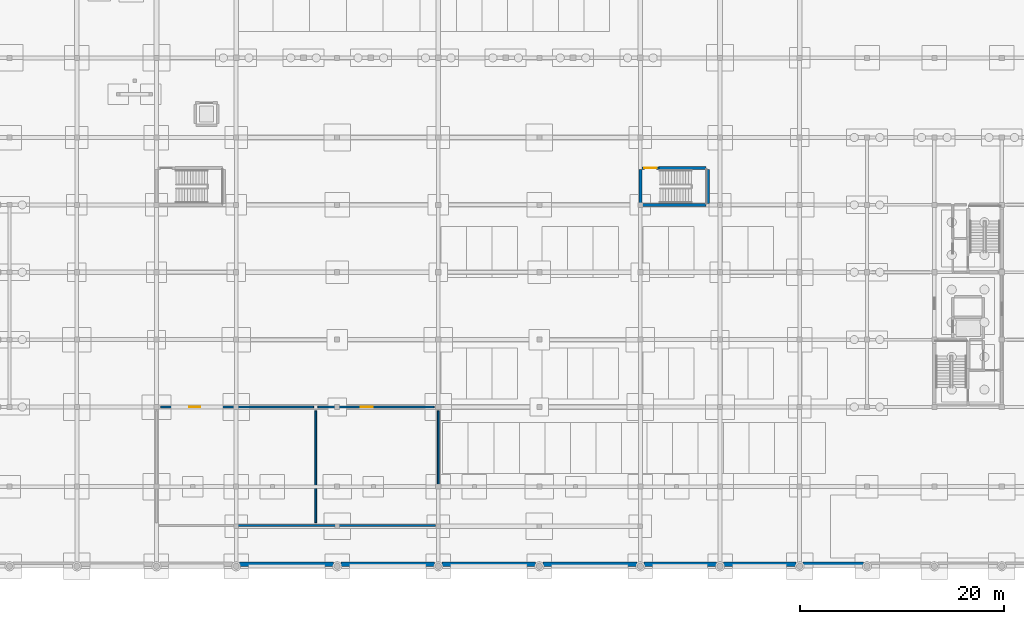
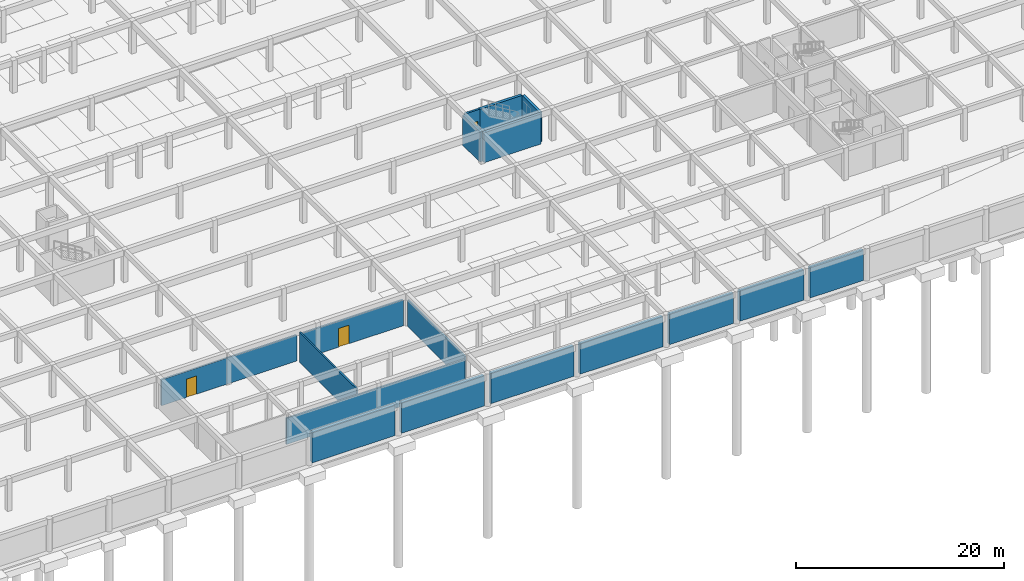
# One storey, part 25 of 37: 17 walls, 3 doors, 3 openings.
"""IFC4 building model written with IfcOpenShell, lengths in metres."""

from ifc_helpers import new_model, si_unit, direction, frame, frame_2d, origin, place, context, subcontext, project, spatial, rectangle, extrude, material, layer, layer_set, type_object, element, fill, save


model = new_model("IFC4")

# Units and contexts
model_context = context("Model", 3, precision=1e-05, world=origin(), true_north=direction((0.0, 1.0)))
body_context = subcontext(model_context, "Body", "Model", "MODEL_VIEW")
ifc_project = project(units=[si_unit("LENGTHUNIT", "METRE"), si_unit("AREAUNIT", "SQUARE_METRE"), si_unit("VOLUMEUNIT", "CUBIC_METRE"), si_unit("PLANEANGLEUNIT", "RADIAN"), si_unit("MASSUNIT", "GRAM", prefix="KILO")], contexts=[model_context])

# Site, building, storey
site_placement = place(None, origin())
site = spatial("IfcSite", under=ifc_project, at=site_placement, CompositionType="ELEMENT")
building_placement = place(site_placement, origin())
building = spatial("IfcBuilding", under=site, at=building_placement, Name="Kernevlak Ridge Housing Community", CompositionType="ELEMENT")
storey_placement = place(building_placement, frame((0.0, 0.0, -3.800048828125)))
storey = spatial("IfcBuildingStorey", under=building, at=storey_placement, Name="B1", CompositionType="ELEMENT", Elevation=-3.800048828125)

# Wall, opening, door
ifc_material_1 = material(Name="Concrete C35/45", Category="concrete")
ifc_layer_1 = layer(ifc_material_1, 0.22509765625, Name="Concrete C35/45")
ifc_layer_set_1 = layer_set([ifc_layer_1], Name="Concrete C35/45")
wall_type_1 = type_object("IfcWallType", Name="PW-01", PredefinedType="STANDARD", material=ifc_layer_set_1)
wall_1_placement = place(storey_placement, frame((103.949951171875, 39.0, 0.0), z_axis=(0.0, 0.0, 1.0), x_axis=(1.0, 0.0, 0.0)))
wall_1 = element("IfcWall", 1, at=wall_1_placement, inside=storey, type_object=wall_type_1, Name="Interior wall PW-01 WAL-INT-B1-3502", PredefinedType="STANDARD", context=body_context, shape_type="SweptSolid", body=[
    extrude(rectangle(XDim=1.650146484375, YDim=0.22509765625, at=frame_2d((0.8251953125, 0.0))), origin(), (0.0, 0.0, 1.0), 3.52001953125),
])
opening_1_placement = place(wall_1_placement, frame((0.25, 0.0, 0.0)))
opening_1 = element("IfcOpeningElement", 2, at=opening_1_placement, cuts=wall_1, Name="Opening E779", PredefinedType="OPENING", context=body_context, shape_type="SweptSolid", body=[
    extrude(rectangle(XDim=1.199951171875, YDim=2.179931640625, at=frame_2d((0.60009765625, 1.08984375))), frame((0.0, 0.12255859375, 0.0), z_axis=(0.0, -1.0, 0.0), x_axis=(1.0, 0.0, 0.0)), (0.0, 0.0, 1.0), 0.2451171875),
])
ifc_material_2 = material(Name="Fire-rated sheet steel leaf", Category="steel")
door_type_1 = type_object("IfcDoorType", Name="DT-17", OperationType="NOTDEFINED", PredefinedType="DOOR", material=ifc_material_2)
door_1_placement = place(opening_1_placement, origin())
door_1 = element("IfcDoor", 3, at=door_1_placement, inside=storey, type_object=door_type_1, Name="Podium stair ST-P2 fire door E779", OperationType="SINGLE_SWING_RIGHT", OverallHeight=2.179931640625, OverallWidth=1.199951171875, PredefinedType="DOOR", context=body_context, shape_type="SweptSolid", body=[
    extrude(rectangle(XDim=1.199951171875, YDim=2.179931640625, at=frame_2d((0.60009765625, 1.08984375))), frame((0.0, 0.02490234375, 0.0), z_axis=(0.0, -1.0, 0.0), x_axis=(1.0, 0.0, 0.0)), (0.0, 0.0, 1.0), 0.050048828125),
])
fill(opening_1, door_1)

ifc_material_3 = material(Name="Concrete block masonry M10", Category="masonry")
ifc_layer_2 = layer(ifc_material_3, 0.175048828125, Name="Concrete block masonry M10")
ifc_layer_set_2 = layer_set([ifc_layer_2], Name="Concrete block masonry M10")
wall_type_2 = type_object("IfcWallType", Name="PW-02", PredefinedType="PARTITIONING", material=ifc_layer_set_2)
wall_2_placement = place(storey_placement, frame((56.800048828125, 15.60009765625, 0.0), z_axis=(0.0, 0.0, 1.0), x_axis=(1.0, 0.0, 0.0)))
wall_2 = element("IfcWall", 4, at=wall_2_placement, inside=storey, type_object=wall_type_2, Name="Interior wall PW-02 WAL-INT-B1-3534", PredefinedType="PARTITIONING", context=body_context, shape_type="SweptSolid", body=[
    extrude(rectangle(XDim=15.0, YDim=0.175048828125, at=frame_2d((7.5, 0.0))), origin(), (0.0, 0.0, 1.0), 3.050048828125),
])
opening_2_placement = place(wall_2_placement, frame((2.800048828125, 0.0, 0.0)))
opening_2 = element("IfcOpeningElement", 5, at=opening_2_placement, cuts=wall_2, Name="Opening E791", PredefinedType="OPENING", context=body_context, shape_type="SweptSolid", body=[
    extrude(rectangle(XDim=1.10009765625, YDim=2.14990234375, at=frame_2d((0.550048828125, 1.074951171875))), frame((0.0, 0.097412109375, 0.0), z_axis=(0.0, -1.0, 0.0), x_axis=(1.0, 0.0, 0.0)), (0.0, 0.0, 1.0), 0.195068359375),
])
door_type_2 = type_object("IfcDoorType", Name="DT-06", OperationType="NOTDEFINED", PredefinedType="DOOR", material=ifc_material_2)
door_2_placement = place(opening_2_placement, origin())
door_2 = element("IfcDoor", 6, at=door_2_placement, inside=storey, type_object=door_type_2, Name="Bicycle store door E791", OperationType="SINGLE_SWING_RIGHT", OverallHeight=2.14990234375, OverallWidth=1.10009765625, PredefinedType="DOOR", context=body_context, shape_type="SweptSolid", body=[
    extrude(rectangle(XDim=1.10009765625, YDim=2.14990234375, at=frame_2d((0.550048828125, 1.074951171875))), frame((0.0, 0.02490234375, 0.0), z_axis=(0.0, -1.0, 0.0), x_axis=(1.0, 0.0, 0.0)), (0.0, 0.0, 1.0), 0.050048828125),
])
fill(opening_2, door_2)

wall_3_placement = place(storey_placement, frame((72.199951171875, 15.60009765625, 0.0), z_axis=(0.0, 0.0, 1.0), x_axis=(1.0, 0.0, 0.0)))
wall_3 = element("IfcWall", 7, at=wall_3_placement, inside=storey, type_object=wall_type_2, Name="Interior wall PW-02 WAL-INT-B1-3535", PredefinedType="PARTITIONING", context=body_context, shape_type="SweptSolid", body=[
    extrude(rectangle(XDim=11.400146484375, YDim=0.175048828125, at=frame_2d((5.7001953125, 0.0))), origin(), (0.0, 0.0, 1.0), 3.050048828125),
])
opening_3_placement = place(wall_3_placement, frame((4.199951171875, 0.0, 0.0)))
opening_3 = element("IfcOpeningElement", 8, at=opening_3_placement, cuts=wall_3, Name="Opening E792", PredefinedType="OPENING", context=body_context, shape_type="SweptSolid", body=[
    extrude(rectangle(XDim=1.199951171875, YDim=2.179931640625, at=frame_2d((0.60009765625, 1.08984375))), frame((0.0, 0.097412109375, 0.0), z_axis=(0.0, -1.0, 0.0), x_axis=(1.0, 0.0, 0.0)), (0.0, 0.0, 1.0), 0.195068359375),
])
door_3_placement = place(opening_3_placement, origin())
door_3 = element("IfcDoor", 9, at=door_3_placement, inside=storey, type_object=door_type_1, Name="Refuse store door E792", OperationType="SINGLE_SWING_LEFT", OverallHeight=2.179931640625, OverallWidth=1.199951171875, PredefinedType="DOOR", context=body_context, shape_type="SweptSolid", body=[
    extrude(rectangle(XDim=1.199951171875, YDim=2.179931640625, at=frame_2d((0.60009765625, 1.08984375))), frame((0.0, 0.02490234375, 0.0), z_axis=(0.0, -1.0, 0.0), x_axis=(1.0, 0.0, 0.0)), (0.0, 0.0, 1.0), 0.050048828125),
])
fill(opening_3, door_3)

# Walls
wall_4_placement = place(storey_placement, frame((63.945068359375, 4.0, 0.0), z_axis=(0.0, 0.0, 1.0), x_axis=(1.0, 0.0, 0.0)))
element("IfcWall", 10, at=wall_4_placement, inside=storey, type_object=wall_type_2, Name="Interior wall PW-02 WAL-INT-B1-3536 part 2", PredefinedType="PARTITIONING", context=body_context, shape_type="SweptSolid", body=[
    extrude(rectangle(XDim=19.77490234375, YDim=0.175048828125, at=frame_2d((9.887451171875, 0.0))), origin(), (0.0, 0.0, 1.0), 3.050048828125),
])
wall_5_placement = place(storey_placement, frame((72.0, 4.280029296875, 0.0), z_axis=(0.0, 0.0, 1.0), x_axis=(0.0, 1.0, 0.0)))
element("IfcWall", 11, at=wall_5_placement, inside=storey, type_object=wall_type_2, Name="Interior wall PW-02 WAL-INT-B1-3538", PredefinedType="PARTITIONING", context=body_context, shape_type="SweptSolid", body=[
    extrude(rectangle(XDim=10.93994140625, YDim=0.175048828125, at=frame_2d((5.469970703125, 0.0))), origin(), (0.0, 0.0, 1.0), 3.52001953125),
])
wall_6_placement = place(storey_placement, frame((84.0, 4.280029296875, 0.0), z_axis=(0.0, 0.0, 1.0), x_axis=(0.0, 1.0, 0.0)))
element("IfcWall", 12, at=wall_6_placement, inside=storey, type_object=wall_type_2, Name="Interior wall PW-02 WAL-INT-B1-3539", PredefinedType="PARTITIONING", context=body_context, shape_type="SweptSolid", body=[
    extrude(rectangle(XDim=10.93994140625, YDim=0.175048828125, at=frame_2d((5.469970703125, 0.0))), origin(), (0.0, 0.0, 1.0), 3.10009765625),
])
ifc_material_4 = material(Name="Concrete C40/50", Category="concrete")
ifc_layer_3 = layer(ifc_material_4, 0.39990234375, Name="Concrete C40/50")
ifc_layer_set_3 = layer_set([ifc_layer_3], Name="Concrete C40/50")
wall_type_3 = type_object("IfcWallType", Name="RW-01", PredefinedType="USERDEFINED", material=ifc_layer_set_3)
for number, where, z_axis, x_axis, name in (
    (13, (64.550048828125, 0.199951171875, 0.0), (0.0, 0.0, 1.0), (1.0, 0.0, 0.0), "Basement retaining wall RW-01 10"),
    (14, (74.449951171875, 0.199951171875, 0.0), (0.0, 0.0, 1.0), (1.0, 0.0, 0.0), "Basement retaining wall RW-01 11"),
    (15, (84.35009765625, 0.199951171875, 0.0), (0.0, 0.0, 1.0), (1.0, 0.0, 0.0), "Basement retaining wall RW-01 12"),
    (16, (94.25, 0.199951171875, 0.0), (0.0, 0.0, 1.0), (1.0, 0.0, 0.0), "Basement retaining wall RW-01 13"),
):
    element("IfcWall", number, at=place(storey_placement, frame(where, z_axis=z_axis, x_axis=x_axis)), inside=storey, type_object=wall_type_3, Name=name, ObjectType="RETAININGWALL", PredefinedType="USERDEFINED", context=body_context, shape_type="SweptSolid", body=[
        extrude(rectangle(XDim=9.199951171875, YDim=0.39990234375, at=frame_2d((4.60009765625, 0.0))), origin(), (0.0, 0.0, 1.0), 3.52001953125),
    ])
for number, where, z_axis, x_axis, name in (
    (17, (104.14990234375, 0.199951171875, 0.0), (0.0, 0.0, 1.0), (1.0, 0.0, 0.0), "Basement retaining wall RW-01 14"),
    (18, (111.949951171875, 0.199951171875, 0.0), (0.0, 0.0, 1.0), (1.0, 0.0, 0.0), "Basement retaining wall RW-01 15"),
):
    element("IfcWall", number, at=place(storey_placement, frame(where, z_axis=z_axis, x_axis=x_axis)), inside=storey, type_object=wall_type_3, Name=name, ObjectType="RETAININGWALL", PredefinedType="USERDEFINED", context=body_context, shape_type="SweptSolid", body=[
        extrude(rectangle(XDim=7.10009765625, YDim=0.39990234375, at=frame_2d((3.550048828125, 0.0))), origin(), (0.0, 0.0, 1.0), 3.52001953125),
    ])
wall_7_placement = place(storey_placement, frame((119.75, 0.199951171875, 0.0), z_axis=(0.0, 0.0, 1.0), x_axis=(1.0, 0.0, 0.0)))
element("IfcWall", 19, at=wall_7_placement, inside=storey, type_object=wall_type_3, Name="Basement retaining wall RW-01 16", ObjectType="RETAININGWALL", PredefinedType="USERDEFINED", context=body_context, shape_type="SweptSolid", body=[
    extrude(rectangle(XDim=5.89990234375, YDim=0.39990234375, at=frame_2d((2.949951171875, 0.0))), origin(), (0.0, 0.0, 1.0), 3.52001953125),
])
ifc_layer_4 = layer(ifc_material_4, 0.300048828125, Name="Concrete C40/50")
ifc_layer_set_4 = layer_set([ifc_layer_4], Name="Concrete C40/50")
wall_type_4 = type_object("IfcWallType", Name="SW-02", PredefinedType="SHEAR", material=ifc_layer_set_4)
wall_8_placement = place(storey_placement, frame((103.949951171875, 35.39990234375, 0.0), z_axis=(0.0, 0.0, 1.0), x_axis=(1.0, 0.0, 0.0)))
element("IfcWall", 20, at=wall_8_placement, inside=storey, type_object=wall_type_4, Name="Podium stair shear wall ST-P2 B1", PredefinedType="SHEAR", context=body_context, shape_type="SweptSolid", body=[
    extrude(rectangle(XDim=6.300048828125, YDim=0.300048828125, at=frame_2d((3.14990234375, 0.0))), origin(), (0.0, 0.0, 1.0), 3.52001953125),
])
wall_9_placement = place(storey_placement, frame((105.60009765625, 39.0, 0.0), z_axis=(0.0, 0.0, 1.0), x_axis=(1.0, 0.0, 0.0)))
element("IfcWall", 21, at=wall_9_placement, inside=storey, type_object=wall_type_4, Name="Podium stair shear wall ST-P2 B1", PredefinedType="SHEAR", context=body_context, shape_type="SweptSolid", body=[
    extrude(rectangle(XDim=4.64990234375, YDim=0.300048828125, at=frame_2d((2.324951171875, 0.0))), origin(), (0.0, 0.0, 1.0), 3.52001953125),
])
for number, where, z_axis, x_axis, name in (
    (22, (103.800048828125, 35.550048828125, 0.0), (0.0, 0.0, 1.0), (0.0, 1.0, 0.0), "Podium stair shear wall ST-P2 B1"),
    (23, (110.39990234375, 35.550048828125, 0.0), (0.0, 0.0, 1.0), (0.0, 1.0, 0.0), "Podium stair shear wall ST-P2 B1"),
):
    element("IfcWall", number, at=place(storey_placement, frame(where, z_axis=z_axis, x_axis=x_axis)), inside=storey, type_object=wall_type_4, Name=name, PredefinedType="SHEAR", context=body_context, shape_type="SweptSolid", body=[
        extrude(rectangle(XDim=3.300048828125, YDim=0.300048828125, at=frame_2d((1.64990234375, 0.0))), origin(), (0.0, 0.0, 1.0), 3.52001953125),
    ])

save(model, "model.ifc")
